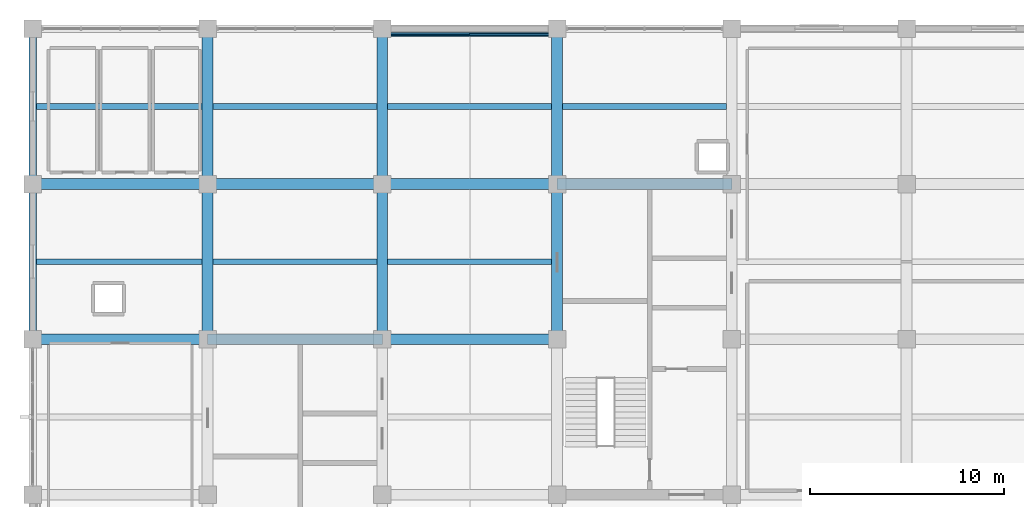
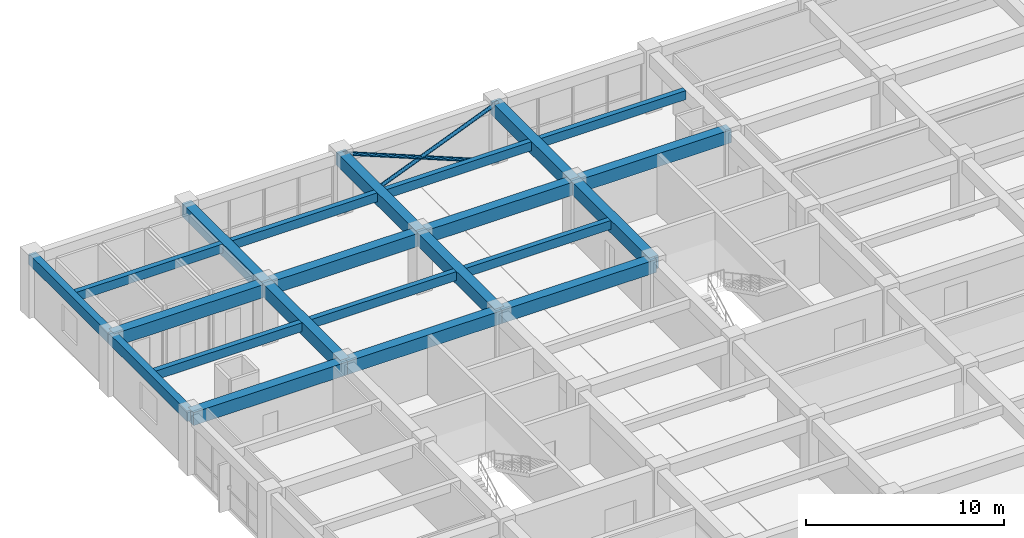
# One storey, part 8 of 16: 22 beams, 2 members.
"""IFC4 building model written with IfcOpenShell, lengths in metres."""

from ifc_helpers import new_model, si_unit, direction, frame, origin, origin_2d, place, context, subcontext, project, spatial, rectangle, hollow_circle, extrude, material, material_profile, profile_set, type_object, element, save


model = new_model("IFC4")

# Units and contexts
model_context = context("Model", 3, precision=1e-05, world=origin(), true_north=direction((0.0, 1.0)))
body_context = subcontext(model_context, "Body", "Model", "MODEL_VIEW")
ifc_project = project(units=[si_unit("LENGTHUNIT", "METRE"), si_unit("AREAUNIT", "SQUARE_METRE"), si_unit("VOLUMEUNIT", "CUBIC_METRE"), si_unit("PLANEANGLEUNIT", "RADIAN"), si_unit("MASSUNIT", "GRAM", prefix="KILO")], contexts=[model_context])

# Site, building, storey
site_placement = place(None, origin())
site = spatial("IfcSite", under=ifc_project, at=site_placement, CompositionType="ELEMENT")
building_placement = place(site_placement, origin())
building = spatial("IfcBuilding", under=site, at=building_placement, Name="Zaverband Oceanarium and Marine Research Institute", CompositionType="ELEMENT")
storey_placement = place(building_placement, frame((0.0, 0.0, 25.800048828125)))
storey = spatial("IfcBuildingStorey", under=building, at=storey_placement, Name="L06", CompositionType="ELEMENT", Elevation=25.800048828125)

# Beams
ifc_material_1 = material(Name="Concrete C40/50", Category="concrete")
ifc_material_profile_1 = material_profile(ifc_material_1, rectangle(XDim=0.550048828125, YDim=0.800048828125, at=origin_2d()), Name="RC550x800")
ifc_profile_set_1 = profile_set([ifc_material_profile_1], Name="Concrete C40/50")
beam_type_1 = type_object("IfcBeamType", Name="BM-550x800", PredefinedType="BEAM", material=ifc_profile_set_1)
for number, where, z_axis, x_axis, name in (
    (1, (9.0, 96.0, 3.25), (1.0, 0.0, 0.0), (0.0, 1.0, 0.0), "Primary floor girder BM-550x800"),
    (2, (18.0, 96.0, 3.25), (1.0, 0.0, 0.0), (0.0, 1.0, 0.0), "Primary floor girder BM-550x800"),
    (3, (27.0, 96.0, 3.25), (1.0, 0.0, 0.0), (0.0, 1.0, 0.0), "Primary floor girder BM-550x800"),
    (4, (9.0, 104.0, 3.25), (1.0, 0.0, 0.0), (0.0, 1.0, 0.0), "Primary floor girder BM-550x800"),
    (5, (18.0, 104.0, 3.25), (1.0, 0.0, 0.0), (0.0, 1.0, 0.0), "Primary floor girder BM-550x800"),
    (6, (27.0, 104.0, 3.25), (1.0, 0.0, 0.0), (0.0, 1.0, 0.0), "Primary floor girder BM-550x800"),
    (7, (36.0, 104.0, 3.25), (1.0, 0.0, 0.0), (0.0, 1.0, 0.0), "Primary floor girder BM-550x800"),
):
    element("IfcBeam", number, at=place(storey_placement, frame(where, z_axis=z_axis, x_axis=x_axis)), inside=storey, type_object=beam_type_1, Name=name, PredefinedType="BEAM", context=body_context, shape_type="SweptSolid", body=[
        extrude(rectangle(XDim=0.550048828125, YDim=0.800048828125, at=origin_2d()), origin(), (0.0, 0.0, 1.0), 9.0),
    ])
for number, where, z_axis, x_axis, name in (
    (8, (18.0, 96.0, 3.25), (0.0, 1.0, 0.0), (-1.0, 0.0, 0.0), "Primary floor girder BM-550x800"),
    (9, (18.0, 104.0, 3.25), (0.0, 1.0, 0.0), (-1.0, 0.0, 0.0), "Primary floor girder BM-550x800"),
    (10, (27.0, 96.0, 3.25), (0.0, 1.0, 0.0), (-1.0, 0.0, 0.0), "Primary floor girder BM-550x800"),
    (11, (27.0, 104.0, 3.25), (0.0, 1.0, 0.0), (-1.0, 0.0, 0.0), "Primary floor girder BM-550x800"),
    (12, (36.0, 96.0, 3.25), (0.0, 1.0, 0.0), (-1.0, 0.0, 0.0), "Primary floor girder BM-550x800"),
    (13, (36.0, 104.0, 3.25), (0.0, 1.0, 0.0), (-1.0, 0.0, 0.0), "Primary floor girder BM-550x800"),
):
    element("IfcBeam", number, at=place(storey_placement, frame(where, z_axis=z_axis, x_axis=x_axis)), inside=storey, type_object=beam_type_1, Name=name, PredefinedType="BEAM", context=body_context, shape_type="SweptSolid", body=[
        extrude(rectangle(XDim=0.550048828125, YDim=0.800048828125, at=origin_2d()), origin(), (0.0, 0.0, 1.0), 8.0),
    ])

# Members
ifc_material_2 = material(Name="Steel S355", Category="steel")
ifc_material_profile_2 = material_profile(ifc_material_2, hollow_circle(Radius=0.109619140625, WallThickness=0.008056640625, at=origin_2d()), Name="CHS219x8")
ifc_profile_set_2 = profile_set([ifc_material_profile_2], Name="Steel S355")
member_type = type_object("IfcMemberType", Name="BR-02", PredefinedType="BRACE", material=ifc_profile_set_2)
for number, where, z_axis, x_axis, name in (
    (14, (27.0, 111.719970703125, 0.0), (0.92669431564, 0.0, 0.375815972733), (0.0, 1.0, 0.0), "Diagonal lateral brace BR-02"),
    (15, (36.0, 111.719970703125, 0.0), (-0.92669431564, 0.0, 0.375815972733), (0.0, -1.0, 0.0), "Diagonal lateral brace BR-02"),
):
    element("IfcMember", number, at=place(storey_placement, frame(where, z_axis=z_axis, x_axis=x_axis)), inside=storey, type_object=member_type, Name=name, PredefinedType="BRACE", context=body_context, shape_type="SweptSolid", body=[
        extrude(hollow_circle(Radius=0.109619140625, WallThickness=0.008056640625, at=origin_2d()), origin(), (0.0, 0.0, 1.0), 9.7119140625),
    ])

# Beams
ifc_material_profile_3 = material_profile(ifc_material_1, rectangle(XDim=0.300048828125, YDim=0.550048828125, at=origin_2d()), Name="RC300x550")
ifc_profile_set_3 = profile_set([ifc_material_profile_3], Name="Concrete C40/50")
beam_type_2 = type_object("IfcBeamType", Name="JST-300x550", PredefinedType="JOIST", material=ifc_profile_set_3)
for number, where, z_axis, x_axis, name in (
    (16, (9.199951171875, 100.0, 3.375), (1.0, 0.0, 0.0), (0.0, 1.0, 0.0), "Secondary floor joist JST-300x550"),
    (17, (9.199951171875, 108.0, 3.375), (1.0, 0.0, 0.0), (0.0, 1.0, 0.0), "Secondary floor joist JST-300x550"),
):
    element("IfcBeam", number, at=place(storey_placement, frame(where, z_axis=z_axis, x_axis=x_axis)), inside=storey, type_object=beam_type_2, Name=name, PredefinedType="JOIST", context=body_context, shape_type="SweptSolid", body=[
        extrude(rectangle(XDim=0.300048828125, YDim=0.550048828125, at=origin_2d()), origin(), (0.0, 0.0, 1.0), 8.525146484375),
    ])
for number, where, z_axis, x_axis, name in (
    (18, (18.27490234375, 100.0, 3.375), (1.0, 0.0, 0.0), (0.0, 1.0, 0.0), "Secondary floor joist JST-300x550"),
    (19, (18.27490234375, 108.0, 3.375), (1.0, 0.0, 0.0), (0.0, 1.0, 0.0), "Secondary floor joist JST-300x550"),
    (20, (27.27490234375, 100.0, 3.375), (1.0, 0.0, 0.0), (0.0, 1.0, 0.0), "Secondary floor joist JST-300x550"),
    (21, (27.27490234375, 108.0, 3.375), (1.0, 0.0, 0.0), (0.0, 1.0, 0.0), "Secondary floor joist JST-300x550"),
    (22, (36.27490234375, 108.0, 3.375), (1.0, 0.0, 0.0), (0.0, 1.0, 0.0), "Secondary floor joist JST-300x550"),
):
    element("IfcBeam", number, at=place(storey_placement, frame(where, z_axis=z_axis, x_axis=x_axis)), inside=storey, type_object=beam_type_2, Name=name, PredefinedType="JOIST", context=body_context, shape_type="SweptSolid", body=[
        extrude(rectangle(XDim=0.300048828125, YDim=0.550048828125, at=origin_2d()), origin(), (0.0, 0.0, 1.0), 8.4501953125),
    ])
ifc_material_profile_4 = material_profile(ifc_material_1, rectangle(XDim=0.39990234375, YDim=0.64990234375, at=origin_2d()), Name="RC400x650")
ifc_profile_set_4 = profile_set([ifc_material_profile_4], Name="Concrete C40/50")
beam_type_3 = type_object("IfcBeamType", Name="SPN-400x650", PredefinedType="SPANDREL", material=ifc_profile_set_4)
for number, where, z_axis, x_axis, name in (
    (23, (9.0, 96.0, 3.324951171875), (0.0, 1.0, 0.0), (-1.0, 0.0, 0.0), "Perimeter spandrel beam SPN-400x650"),
    (24, (9.0, 104.0, 3.324951171875), (0.0, 1.0, 0.0), (-1.0, 0.0, 0.0), "Perimeter spandrel beam SPN-400x650"),
):
    element("IfcBeam", number, at=place(storey_placement, frame(where, z_axis=z_axis, x_axis=x_axis)), inside=storey, type_object=beam_type_3, Name=name, PredefinedType="SPANDREL", context=body_context, shape_type="SweptSolid", body=[
        extrude(rectangle(XDim=0.39990234375, YDim=0.64990234375, at=origin_2d()), origin(), (0.0, 0.0, 1.0), 8.0),
    ])

save(model, "model.ifc")
